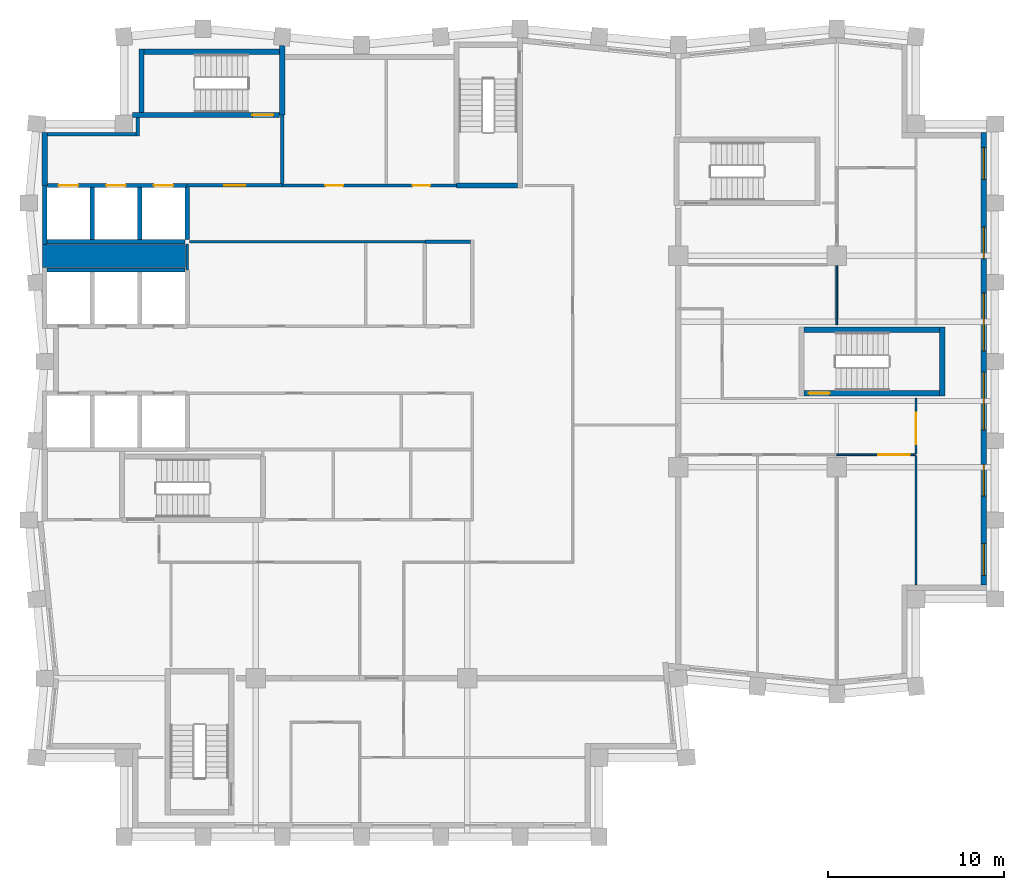
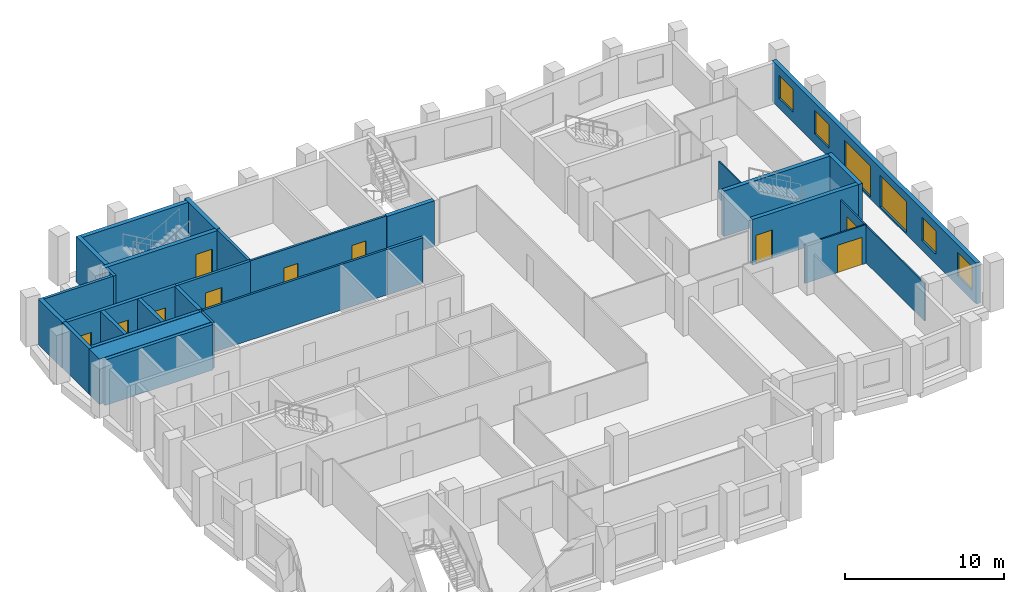
# One storey, part 5 of 8: 30 walls, 10 doors, 6 windows, 16 openings.
"""IFC4 building model written with IfcOpenShell, lengths in metres."""

from ifc_helpers import new_model, si_unit, direction, frame, frame_2d, origin, place, context, subcontext, project, spatial, rectangle, extrude, material, layer, layer_set, type_object, element, fill, save


model = new_model("IFC4")

# Units and contexts
model_context = context("Model", 3, precision=1e-05, world=origin(), true_north=direction((0.0, 1.0)))
body_context = subcontext(model_context, "Body", "Model", "MODEL_VIEW")
ifc_project = project(units=[si_unit("LENGTHUNIT", "METRE"), si_unit("AREAUNIT", "SQUARE_METRE"), si_unit("VOLUMEUNIT", "CUBIC_METRE"), si_unit("PLANEANGLEUNIT", "RADIAN"), si_unit("MASSUNIT", "GRAM", prefix="KILO")], contexts=[model_context])

# Site, building, storey
site_placement = place(None, origin())
site = spatial("IfcSite", under=ifc_project, at=site_placement, CompositionType="ELEMENT")
building_placement = place(site_placement, origin())
building = spatial("IfcBuilding", under=site, at=building_placement, Name="Brondeck Convention Tower", CompositionType="ELEMENT")
storey_placement = place(building_placement, frame((0.0, 0.0, 217.800048828125)))
storey = spatial("IfcBuildingStorey", under=building, at=storey_placement, Name="L53", CompositionType="ELEMENT", Elevation=217.800048828125)

# Walls
ifc_material_1 = material(Name="Concrete C50/60", Category="concrete")
ifc_layer_1 = layer(ifc_material_1, 0.300048828125)
ifc_layer_set_1 = layer_set([ifc_layer_1], Name="Core outer wall 300 Concrete C50/60")
wall_type_1 = type_object("IfcWallType", Name="Core outer wall 300 Concrete C50/60", PredefinedType="SHEAR", material=ifc_layer_set_1)
wall_1_placement = place(storey_placement, frame((0.0, 55.0, 0.0), z_axis=(0.0, 0.0, 1.0), x_axis=(0.0, 1.0, 0.0)))
element("IfcWall", 1, at=wall_1_placement, inside=storey, type_object=wall_type_1, Name="L53 core wall", PredefinedType="SHEAR", context=body_context, shape_type="SweptSolid", body=[
    extrude(rectangle(XDim=3.0, YDim=0.300048828125, at=frame_2d((1.5, 0.0))), origin(), (0.0, 0.0, 1.0), 3.5),
])
ifc_material_2 = material(Name="Fire-rated gypsum board partition")
ifc_layer_2 = layer(ifc_material_2, 0.14990234375)
ifc_layer_set_2 = layer_set([ifc_layer_2], Name="Core partition 150 EI 60")
wall_type_2 = type_object("IfcWallType", Name="Core partition 150 EI 60", PredefinedType="PARTITIONING", material=ifc_layer_set_2)
wall_2_placement = place(storey_placement, frame((8.22509765625, 51.800048828125, 0.0), z_axis=(0.0, 0.0, 1.0), x_axis=(1.0, 0.0, 0.0)))
element("IfcWall", 2, at=wall_2_placement, inside=storey, type_object=wall_type_2, Name="L53 core wall", PredefinedType="PARTITIONING", context=body_context, shape_type="SweptSolid", body=[
    extrude(rectangle(XDim=13.375, YDim=0.14990234375, at=frame_2d((6.6875, 0.0))), origin(), (0.0, 0.0, 1.0), 3.5),
])

# Wall, openings, doors
wall_3_placement = place(storey_placement, frame((13.5, 55.0, 0.0), z_axis=(0.0, 0.0, 1.0), x_axis=(1.0, 0.0, 0.0)))
wall_3 = element("IfcWall", 3, at=wall_3_placement, inside=storey, type_object=wall_type_2, Name="L53 core wall", PredefinedType="PARTITIONING", context=body_context, shape_type="SweptSolid", body=[
    extrude(rectangle(XDim=9.89990234375, YDim=0.14990234375, at=frame_2d((4.949951171875, 0.0))), origin(), (0.0, 0.0, 1.0), 3.5),
])
opening_1_placement = place(wall_3_placement, frame((2.449951171875, 0.0, 0.0)))
opening_1 = element("IfcOpeningElement", 4, at=opening_1_placement, cuts=wall_3, Name="Opening C29-11", PredefinedType="OPENING", context=body_context, shape_type="SweptSolid", body=[
    extrude(rectangle(XDim=1.0, YDim=2.10009765625, at=frame_2d((0.5, 1.050048828125))), frame((0.0, 0.0849609375, 0.0), z_axis=(0.0, -1.0, 0.0), x_axis=(1.0, 0.0, 0.0)), (0.0, 0.0, 1.0), 0.169921875),
])
opening_2_placement = place(wall_3_placement, frame((7.39990234375, 0.0, 0.0)))
opening_2 = element("IfcOpeningElement", 5, at=opening_2_placement, cuts=wall_3, Name="Opening C29-12", PredefinedType="OPENING", context=body_context, shape_type="SweptSolid", body=[
    extrude(rectangle(XDim=1.0, YDim=2.10009765625, at=frame_2d((0.5, 1.050048828125))), frame((0.0, 0.0849609375, 0.0), z_axis=(0.0, -1.0, 0.0), x_axis=(1.0, 0.0, 0.0)), (0.0, 0.0, 1.0), 0.169921875),
])
ifc_material_3 = material(Name="Steel fire door", Category="steel")
door_type_1 = type_object("IfcDoorType", Name="Room door 1000x2100 EI 60", OperationType="NOTDEFINED", PredefinedType="DOOR", material=ifc_material_3)
door_1_placement = place(opening_1_placement, origin())
door_1 = element("IfcDoor", 6, at=door_1_placement, inside=storey, type_object=door_type_1, Name="L53 Room door NE-1", OperationType="SINGLE_SWING_LEFT", OverallHeight=2.10009765625, OverallWidth=1.0, PredefinedType="DOOR", context=body_context, shape_type="SweptSolid", body=[
    extrude(rectangle(XDim=1.0, YDim=2.10009765625, at=frame_2d((0.5, 1.050048828125))), frame((0.0, 0.02490234375, 0.0), z_axis=(0.0, -1.0, 0.0), x_axis=(1.0, 0.0, 0.0)), (0.0, 0.0, 1.0), 0.050048828125),
])
fill(opening_1, door_1)
door_2_placement = place(opening_2_placement, origin())
door_2 = element("IfcDoor", 7, at=door_2_placement, inside=storey, type_object=door_type_1, Name="L53 Room door NE-2", OperationType="SINGLE_SWING_RIGHT", OverallHeight=2.10009765625, OverallWidth=1.0, PredefinedType="DOOR", context=body_context, shape_type="SweptSolid", body=[
    extrude(rectangle(XDim=1.0, YDim=2.10009765625, at=frame_2d((0.5, 1.050048828125))), frame((0.0, 0.02490234375, 0.0), z_axis=(0.0, -1.0, 0.0), x_axis=(1.0, 0.0, 0.0)), (0.0, 0.0, 1.0), 0.050048828125),
])
fill(opening_2, door_2)

# Walls
wall_4_placement = place(storey_placement, frame((8.10009765625, 50.199951171875, 0.0), z_axis=(0.0, 0.0, 1.0), x_axis=(0.0, 1.0, 0.0)))
element("IfcWall", 8, at=wall_4_placement, inside=storey, type_object=wall_type_2, Name="L53 core wall", PredefinedType="PARTITIONING", context=body_context, shape_type="SweptSolid", body=[
    extrude(rectangle(XDim=1.47509765625, YDim=0.14990234375, at=frame_2d((0.737548828125, 0.0))), origin(), (0.0, 0.0, 1.0), 3.5),
])
ifc_layer_3 = layer(ifc_material_1, 1.300048828125)
ifc_layer_set_3 = layer_set([ifc_layer_3], Name="Core shear wall 1300 Concrete C50/60")
wall_type_3 = type_object("IfcWallType", Name="Core shear wall 1300 Concrete C50/60", PredefinedType="SHEAR", material=ifc_layer_set_3)
wall_5_placement = place(storey_placement, frame((-0.125, 51.0, 0.0), z_axis=(0.0, 0.0, 1.0), x_axis=(1.0, 0.0, 0.0)))
element("IfcWall", 9, at=wall_5_placement, inside=storey, type_object=wall_type_3, Name="L53 core wall", PredefinedType="SHEAR", context=body_context, shape_type="SweptSolid", body=[
    extrude(rectangle(XDim=8.125, YDim=1.300048828125, at=frame_2d((4.0625, 0.0))), origin(), (0.0, 0.0, 1.0), 3.5),
])

# Wall, openings, windows
ifc_material_4 = material(Name="Precast concrete C50/60 bronze finish", Category="concrete")
ifc_layer_4 = layer(ifc_material_4, 0.070068359375, Name="Bronze precast facing")
ifc_material_5 = material(Name="Mineral wool")
ifc_layer_5 = layer(ifc_material_5, 0.159912109375, Name="Insulation")
ifc_material_6 = material(Name="Concrete C35/45", Category="concrete")
ifc_layer_6 = layer(ifc_material_6, 0.070068359375, Name="Backing")
ifc_layer_set_4 = layer_set([ifc_layer_4, ifc_layer_5, ifc_layer_6], Name="External infill wall, precast concrete C50/60 bronze facing")
wall_type_4 = type_object("IfcWallType", Name="External infill wall, precast concrete C50/60 bronze facing", PredefinedType="SOLIDWALL", material=ifc_layer_set_4)
wall_6_placement = place(storey_placement, frame((53.35009765625, 58.0, 0.0), z_axis=(0.0, 0.0, 1.0), x_axis=(0.0, -1.0, 0.0)))
wall_6 = element("IfcWall", 10, at=wall_6_placement, inside=storey, type_object=wall_type_4, Name="ENV-EW-L53-P2-A-E54-01", PredefinedType="SOLIDWALL", context=body_context, shape_type="SweptSolid", body=[
    extrude(rectangle(XDim=25.701904296875, YDim=0.300048828125, at=frame_2d((12.85107421875, 0.0))), origin(), (0.0, 0.0, 1.0), 3.14990234375),
])
opening_3_placement = place(wall_6_placement, frame((0.85009765625, 0.0, 0.75)))
opening_3 = element("IfcOpeningElement", 11, at=opening_3_placement, cuts=wall_6, Name="Opening W10", PredefinedType="OPENING", context=body_context, shape_type="SweptSolid", body=[
    extrude(rectangle(XDim=1.800048828125, YDim=1.800048828125, at=frame_2d((0.89990234375, 0.89990234375))), frame((0.0, 0.159912109375, 0.0), z_axis=(0.0, -1.0, 0.0), x_axis=(1.0, 0.0, 0.0)), (0.0, 0.0, 1.0), 0.320068359375),
])
opening_4_placement = place(wall_6_placement, frame((5.35009765625, 0.0, 0.75)))
opening_4 = element("IfcOpeningElement", 12, at=opening_4_placement, cuts=wall_6, Name="Opening W10", PredefinedType="OPENING", context=body_context, shape_type="SweptSolid", body=[
    extrude(rectangle(XDim=1.800048828125, YDim=1.800048828125, at=frame_2d((0.89990234375, 0.89990234375))), frame((0.0, 0.159912109375, 0.0), z_axis=(0.0, -1.0, 0.0), x_axis=(1.0, 0.0, 0.0)), (0.0, 0.0, 1.0), 0.320068359375),
])
opening_5_placement = place(wall_6_placement, frame((9.10009765625, 0.0, 0.14990234375)))
opening_5 = element("IfcOpeningElement", 13, at=opening_5_placement, cuts=wall_6, Name="Opening W9", PredefinedType="OPENING", context=body_context, shape_type="SweptSolid", body=[
    extrude(rectangle(XDim=3.300048828125, YDim=2.39990234375, at=frame_2d((1.64990234375, 1.199951171875))), frame((0.0, 0.159912109375, 0.0), z_axis=(0.0, -1.0, 0.0), x_axis=(1.0, 0.0, 0.0)), (0.0, 0.0, 1.0), 0.320068359375),
])
opening_6_placement = place(wall_6_placement, frame((13.60009765625, 0.0, 0.14990234375)))
opening_6 = element("IfcOpeningElement", 14, at=opening_6_placement, cuts=wall_6, Name="Opening W9", PredefinedType="OPENING", context=body_context, shape_type="SweptSolid", body=[
    extrude(rectangle(XDim=3.300048828125, YDim=2.39990234375, at=frame_2d((1.64990234375, 1.199951171875))), frame((0.0, 0.159912109375, 0.0), z_axis=(0.0, -1.0, 0.0), x_axis=(1.0, 0.0, 0.0)), (0.0, 0.0, 1.0), 0.320068359375),
])
opening_7_placement = place(wall_6_placement, frame((18.85009765625, 0.0, 0.75)))
opening_7 = element("IfcOpeningElement", 15, at=opening_7_placement, cuts=wall_6, Name="Opening W10", PredefinedType="OPENING", context=body_context, shape_type="SweptSolid", body=[
    extrude(rectangle(XDim=1.800048828125, YDim=1.800048828125, at=frame_2d((0.89990234375, 0.89990234375))), frame((0.0, 0.159912109375, 0.0), z_axis=(0.0, -1.0, 0.0), x_axis=(1.0, 0.0, 0.0)), (0.0, 0.0, 1.0), 0.320068359375),
])
opening_8_placement = place(wall_6_placement, frame((23.35009765625, 0.0, 0.75)))
opening_8 = element("IfcOpeningElement", 16, at=opening_8_placement, cuts=wall_6, Name="Opening W10", PredefinedType="OPENING", context=body_context, shape_type="SweptSolid", body=[
    extrude(rectangle(XDim=1.800048828125, YDim=1.800048828125, at=frame_2d((0.89990234375, 0.89990234375))), frame((0.0, 0.159912109375, 0.0), z_axis=(0.0, -1.0, 0.0), x_axis=(1.0, 0.0, 0.0)), (0.0, 0.0, 1.0), 0.320068359375),
])
ifc_material_7 = material(Name="Bronze tinted double glazing", Category="glass")
window_type_1 = type_object("IfcWindowType", Name="Glazed flute window, bronze tinted", PartitioningType="SINGLE_PANEL", PredefinedType="WINDOW", material=ifc_material_7)
window_1_placement = place(opening_5_placement, origin())
window_1 = element("IfcWindow", 17, at=window_1_placement, inside=storey, type_object=window_type_1, Name="ENV-WN-L53-P2-A-E54-04", OverallHeight=2.39990234375, OverallWidth=3.300048828125, PartitioningType="SINGLE_PANEL", PredefinedType="WINDOW", context=body_context, shape_type="SweptSolid", body=[
    extrude(rectangle(XDim=3.300048828125, YDim=2.39990234375, at=frame_2d((1.64990234375, 1.199951171875))), frame((0.0, 0.030029296875, 0.0), z_axis=(0.0, -1.0, 0.0), x_axis=(1.0, 0.0, 0.0)), (0.0, 0.0, 1.0), 0.06005859375),
])
fill(opening_5, window_1)
window_2_placement = place(opening_6_placement, origin())
window_2 = element("IfcWindow", 18, at=window_2_placement, inside=storey, type_object=window_type_1, Name="ENV-WN-L53-P2-A-E54-03", OverallHeight=2.39990234375, OverallWidth=3.300048828125, PartitioningType="SINGLE_PANEL", PredefinedType="WINDOW", context=body_context, shape_type="SweptSolid", body=[
    extrude(rectangle(XDim=3.300048828125, YDim=2.39990234375, at=frame_2d((1.64990234375, 1.199951171875))), frame((0.0, 0.030029296875, 0.0), z_axis=(0.0, -1.0, 0.0), x_axis=(1.0, 0.0, 0.0)), (0.0, 0.0, 1.0), 0.06005859375),
])
fill(opening_6, window_2)
window_type_2 = type_object("IfcWindowType", Name="Punched window, bronze tinted", PartitioningType="SINGLE_PANEL", PredefinedType="WINDOW", material=ifc_material_7)
window_3_placement = place(opening_3_placement, origin())
window_3 = element("IfcWindow", 19, at=window_3_placement, inside=storey, type_object=window_type_2, Name="ENV-WN-L53-P2-A-E54-06", OverallHeight=1.800048828125, OverallWidth=1.800048828125, PartitioningType="SINGLE_PANEL", PredefinedType="WINDOW", context=body_context, shape_type="SweptSolid", body=[
    extrude(rectangle(XDim=1.800048828125, YDim=1.800048828125, at=frame_2d((0.89990234375, 0.89990234375))), frame((0.0, 0.030029296875, 0.0), z_axis=(0.0, -1.0, 0.0), x_axis=(1.0, 0.0, 0.0)), (0.0, 0.0, 1.0), 0.06005859375),
])
fill(opening_3, window_3)
window_4_placement = place(opening_4_placement, origin())
window_4 = element("IfcWindow", 20, at=window_4_placement, inside=storey, type_object=window_type_2, Name="ENV-WN-L53-P2-A-E54-05", OverallHeight=1.800048828125, OverallWidth=1.800048828125, PartitioningType="SINGLE_PANEL", PredefinedType="WINDOW", context=body_context, shape_type="SweptSolid", body=[
    extrude(rectangle(XDim=1.800048828125, YDim=1.800048828125, at=frame_2d((0.89990234375, 0.89990234375))), frame((0.0, 0.030029296875, 0.0), z_axis=(0.0, -1.0, 0.0), x_axis=(1.0, 0.0, 0.0)), (0.0, 0.0, 1.0), 0.06005859375),
])
fill(opening_4, window_4)
window_5_placement = place(opening_7_placement, origin())
window_5 = element("IfcWindow", 21, at=window_5_placement, inside=storey, type_object=window_type_2, Name="ENV-WN-L53-P2-A-E54-02", OverallHeight=1.800048828125, OverallWidth=1.800048828125, PartitioningType="SINGLE_PANEL", PredefinedType="WINDOW", context=body_context, shape_type="SweptSolid", body=[
    extrude(rectangle(XDim=1.800048828125, YDim=1.800048828125, at=frame_2d((0.89990234375, 0.89990234375))), frame((0.0, 0.030029296875, 0.0), z_axis=(0.0, -1.0, 0.0), x_axis=(1.0, 0.0, 0.0)), (0.0, 0.0, 1.0), 0.06005859375),
])
fill(opening_7, window_5)
window_6_placement = place(opening_8_placement, origin())
window_6 = element("IfcWindow", 22, at=window_6_placement, inside=storey, type_object=window_type_2, Name="ENV-WN-L53-P2-A-E54-01", OverallHeight=1.800048828125, OverallWidth=1.800048828125, PartitioningType="SINGLE_PANEL", PredefinedType="WINDOW", context=body_context, shape_type="SweptSolid", body=[
    extrude(rectangle(XDim=1.800048828125, YDim=1.800048828125, at=frame_2d((0.89990234375, 0.89990234375))), frame((0.0, 0.030029296875, 0.0), z_axis=(0.0, -1.0, 0.0), x_axis=(1.0, 0.0, 0.0)), (0.0, 0.0, 1.0), 0.06005859375),
])
fill(opening_8, window_6)

# Wall, opening, door
ifc_layer_7 = layer(ifc_material_2, 0.199951171875)
ifc_layer_set_5 = layer_set([ifc_layer_7], Name="Firefighting lobby wall 200 EI 120")
wall_type_5 = type_object("IfcWallType", Name="Firefighting lobby wall 200 EI 120", PredefinedType="PARTITIONING", material=ifc_layer_set_5)
wall_7_placement = place(storey_placement, frame((8.10009765625, 55.0, 0.0), z_axis=(0.0, 0.0, 1.0), x_axis=(1.0, 0.0, 0.0)))
wall_7 = element("IfcWall", 23, at=wall_7_placement, inside=storey, type_object=wall_type_5, Name="L53 core wall", PredefinedType="PARTITIONING", context=body_context, shape_type="SweptSolid", body=[
    extrude(rectangle(XDim=5.39990234375, YDim=0.199951171875, at=frame_2d((2.699951171875, 0.0))), origin(), (0.0, 0.0, 1.0), 3.5),
])
opening_9_placement = place(wall_7_placement, frame((2.10009765625, 0.0, 0.0)))
opening_9 = element("IfcOpeningElement", 24, at=opening_9_placement, cuts=wall_7, Name="Opening C29-01", PredefinedType="OPENING", context=body_context, shape_type="SweptSolid", body=[
    extrude(rectangle(XDim=1.199951171875, YDim=2.199951171875, at=frame_2d((0.60009765625, 1.10009765625))), frame((0.0, 0.10986328125, 0.0), z_axis=(0.0, -1.0, 0.0), x_axis=(1.0, 0.0, 0.0)), (0.0, 0.0, 1.0), 0.219970703125),
])
door_type_2 = type_object("IfcDoorType", Name="Firefighting lobby door 1200x2200 EI 120", OperationType="NOTDEFINED", PredefinedType="DOOR", material=ifc_material_3)
door_3_placement = place(opening_9_placement, origin())
door_3 = element("IfcDoor", 25, at=door_3_placement, inside=storey, type_object=door_type_2, Name="L53 Firefighting lobby door FFL-1", OperationType="SINGLE_SWING_RIGHT", OverallHeight=2.199951171875, OverallWidth=1.199951171875, PredefinedType="DOOR", context=body_context, shape_type="SweptSolid", body=[
    extrude(rectangle(XDim=1.199951171875, YDim=2.199951171875, at=frame_2d((0.60009765625, 1.10009765625))), frame((0.0, 0.02490234375, 0.0), z_axis=(0.0, -1.0, 0.0), x_axis=(1.0, 0.0, 0.0)), (0.0, 0.0, 1.0), 0.050048828125),
])
fill(opening_9, door_3)

# Walls
wall_8_placement = place(storey_placement, frame((0.14990234375, 57.89990234375, 0.0), z_axis=(0.0, 0.0, 1.0), x_axis=(1.0, 0.0, 0.0)))
element("IfcWall", 26, at=wall_8_placement, inside=storey, type_object=wall_type_5, Name="L53 core wall", PredefinedType="PARTITIONING", context=body_context, shape_type="SweptSolid", body=[
    extrude(rectangle(XDim=5.050048828125, YDim=0.199951171875, at=frame_2d((2.52490234375, 0.0))), origin(), (0.0, 0.0, 1.0), 3.5),
])
wall_9_placement = place(storey_placement, frame((5.300048828125, 57.800048828125, 0.0), z_axis=(0.0, 0.0, 1.0), x_axis=(0.0, 1.0, 0.0)))
element("IfcWall", 27, at=wall_9_placement, inside=storey, type_object=wall_type_5, Name="L53 core wall", PredefinedType="PARTITIONING", context=body_context, shape_type="SweptSolid", body=[
    extrude(rectangle(XDim=1.050048828125, YDim=0.199951171875, at=frame_2d((0.52490234375, 0.0))), origin(), (0.0, 0.0, 1.0), 3.5),
])
wall_10_placement = place(storey_placement, frame((13.5, 55.10009765625, 0.0), z_axis=(0.0, 0.0, 1.0), x_axis=(0.0, 1.0, 0.0)))
element("IfcWall", 28, at=wall_10_placement, inside=storey, type_object=wall_type_5, Name="L53 core wall", PredefinedType="PARTITIONING", context=body_context, shape_type="SweptSolid", body=[
    extrude(rectangle(XDim=3.89990234375, YDim=0.199951171875, at=frame_2d((1.949951171875, 0.0))), origin(), (0.0, 0.0, 1.0), 3.5),
])
ifc_layer_8 = layer(ifc_material_1, 0.25)
ifc_layer_set_6 = layer_set([ifc_layer_8], Name="Lift shaft wall 250 Concrete C50/60")
wall_type_6 = type_object("IfcWallType", Name="Lift shaft wall 250 Concrete C50/60", PredefinedType="SHEAR", material=ifc_layer_set_6)
for number, where, z_axis, x_axis, name in (
    (29, (0.125, 50.199951171875, 0.0), (0.0, 0.0, 1.0), (1.0, 0.0, 0.0), "L53 core wall"),
    (30, (0.125, 51.800048828125, 0.0), (0.0, 0.0, 1.0), (1.0, 0.0, 0.0), "L53 core wall"),
):
    element("IfcWall", number, at=place(storey_placement, frame(where, z_axis=z_axis, x_axis=x_axis)), inside=storey, type_object=wall_type_6, Name=name, PredefinedType="SHEAR", context=body_context, shape_type="SweptSolid", body=[
        extrude(rectangle(XDim=7.85009765625, YDim=0.25, at=frame_2d((3.925048828125, 0.0))), origin(), (0.0, 0.0, 1.0), 3.5),
    ])

# Wall, openings, doors
wall_11_placement = place(storey_placement, frame((0.14990234375, 55.0, 0.0), z_axis=(0.0, 0.0, 1.0), x_axis=(1.0, 0.0, 0.0)))
wall_11 = element("IfcWall", 31, at=wall_11_placement, inside=storey, type_object=wall_type_6, Name="L53 core wall", PredefinedType="SHEAR", context=body_context, shape_type="SweptSolid", body=[
    extrude(rectangle(XDim=7.9501953125, YDim=0.25, at=frame_2d((3.97509765625, 0.0))), origin(), (0.0, 0.0, 1.0), 3.5),
])
opening_10_placement = place(wall_11_placement, frame((0.64990234375, 0.0, 0.0)))
opening_10 = element("IfcOpeningElement", 32, at=opening_10_placement, cuts=wall_11, Name="Opening C29-19", PredefinedType="OPENING", context=body_context, shape_type="SweptSolid", body=[
    extrude(rectangle(XDim=1.10009765625, YDim=2.10009765625, at=frame_2d((0.550048828125, 1.050048828125))), frame((0.0, 0.135009765625, 0.0), z_axis=(0.0, -1.0, 0.0), x_axis=(1.0, 0.0, 0.0)), (0.0, 0.0, 1.0), 0.27001953125),
])
opening_11_placement = place(wall_11_placement, frame((3.35009765625, 0.0, 0.0)))
opening_11 = element("IfcOpeningElement", 33, at=opening_11_placement, cuts=wall_11, Name="Opening C29-20", PredefinedType="OPENING", context=body_context, shape_type="SweptSolid", body=[
    extrude(rectangle(XDim=1.10009765625, YDim=2.10009765625, at=frame_2d((0.550048828125, 1.050048828125))), frame((0.0, 0.135009765625, 0.0), z_axis=(0.0, -1.0, 0.0), x_axis=(1.0, 0.0, 0.0)), (0.0, 0.0, 1.0), 0.27001953125),
])
opening_12_placement = place(wall_11_placement, frame((6.050048828125, 0.0, 0.0)))
opening_12 = element("IfcOpeningElement", 34, at=opening_12_placement, cuts=wall_11, Name="Opening C29-21", PredefinedType="OPENING", context=body_context, shape_type="SweptSolid", body=[
    extrude(rectangle(XDim=1.10009765625, YDim=2.10009765625, at=frame_2d((0.550048828125, 1.050048828125))), frame((0.0, 0.135009765625, 0.0), z_axis=(0.0, -1.0, 0.0), x_axis=(1.0, 0.0, 0.0)), (0.0, 0.0, 1.0), 0.27001953125),
])
ifc_material_8 = material(Name="Stainless steel lift door", Category="steel")
door_type_3 = type_object("IfcDoorType", Name="Lift landing door 1100x2100 EI 180", OperationType="DOUBLE_DOOR_SLIDING", PredefinedType="DOOR", material=ifc_material_8)
door_4_placement = place(opening_10_placement, origin())
door_4 = element("IfcDoor", 35, at=door_4_placement, inside=storey, type_object=door_type_3, Name="L53 Lift landing door FF1", OperationType="DOUBLE_DOOR_SLIDING", OverallHeight=2.10009765625, OverallWidth=1.10009765625, PredefinedType="DOOR", context=body_context, shape_type="SweptSolid", body=[
    extrude(rectangle(XDim=1.10009765625, YDim=2.10009765625, at=frame_2d((0.550048828125, 1.050048828125))), frame((0.0, 0.02490234375, 0.0), z_axis=(0.0, -1.0, 0.0), x_axis=(1.0, 0.0, 0.0)), (0.0, 0.0, 1.0), 0.050048828125),
])
fill(opening_10, door_4)
door_5_placement = place(opening_11_placement, origin())
door_5 = element("IfcDoor", 36, at=door_5_placement, inside=storey, type_object=door_type_3, Name="L53 Lift landing door FF2", OperationType="DOUBLE_DOOR_SLIDING", OverallHeight=2.10009765625, OverallWidth=1.10009765625, PredefinedType="DOOR", context=body_context, shape_type="SweptSolid", body=[
    extrude(rectangle(XDim=1.10009765625, YDim=2.10009765625, at=frame_2d((0.550048828125, 1.050048828125))), frame((0.0, 0.02490234375, 0.0), z_axis=(0.0, -1.0, 0.0), x_axis=(1.0, 0.0, 0.0)), (0.0, 0.0, 1.0), 0.050048828125),
])
fill(opening_11, door_5)
door_6_placement = place(opening_12_placement, origin())
door_6 = element("IfcDoor", 37, at=door_6_placement, inside=storey, type_object=door_type_3, Name="L53 Lift landing door FF3", OperationType="DOUBLE_DOOR_SLIDING", OverallHeight=2.10009765625, OverallWidth=1.10009765625, PredefinedType="DOOR", context=body_context, shape_type="SweptSolid", body=[
    extrude(rectangle(XDim=1.10009765625, YDim=2.10009765625, at=frame_2d((0.550048828125, 1.050048828125))), frame((0.0, 0.02490234375, 0.0), z_axis=(0.0, -1.0, 0.0), x_axis=(1.0, 0.0, 0.0)), (0.0, 0.0, 1.0), 0.050048828125),
])
fill(opening_12, door_6)

# Walls
wall_12_placement = place(storey_placement, frame((0.0, 51.64990234375, 0.0), z_axis=(0.0, 0.0, 1.0), x_axis=(0.0, 1.0, 0.0)))
element("IfcWall", 38, at=wall_12_placement, inside=storey, type_object=wall_type_6, Name="L53 core wall", PredefinedType="SHEAR", context=body_context, shape_type="SweptSolid", body=[
    extrude(rectangle(XDim=3.35009765625, YDim=0.25, at=frame_2d((1.675048828125, 0.0))), origin(), (0.0, 0.0, 1.0), 3.5),
])
for number, where, z_axis, x_axis, name in (
    (39, (2.699951171875, 51.925048828125, 0.0), (0.0, 0.0, 1.0), (0.0, 1.0, 0.0), "L53 core wall"),
    (40, (5.39990234375, 51.925048828125, 0.0), (0.0, 0.0, 1.0), (0.0, 1.0, 0.0), "L53 core wall"),
    (41, (8.10009765625, 51.925048828125, 0.0), (0.0, 0.0, 1.0), (0.0, 1.0, 0.0), "L53 core wall"),
):
    element("IfcWall", number, at=place(storey_placement, frame(where, z_axis=z_axis, x_axis=x_axis)), inside=storey, type_object=wall_type_6, Name=name, PredefinedType="SHEAR", context=body_context, shape_type="SweptSolid", body=[
        extrude(rectangle(XDim=2.949951171875, YDim=0.25, at=frame_2d((1.47509765625, 0.0))), origin(), (0.0, 0.0, 1.0), 3.5),
    ])
ifc_layer_9 = layer(ifc_material_2, 0.199951171875)
ifc_layer_set_7 = layer_set([ifc_layer_9], Name="Riser wall 200 EI 120")
wall_type_7 = type_object("IfcWallType", Name="Riser wall 200 EI 120", PredefinedType="PARTITIONING", material=ifc_layer_set_7)
wall_13_placement = place(storey_placement, frame((21.60009765625, 51.800048828125, 0.0), z_axis=(0.0, 0.0, 1.0), x_axis=(1.0, 0.0, 0.0)))
element("IfcWall", 42, at=wall_13_placement, inside=storey, type_object=wall_type_7, Name="L53 core wall", PredefinedType="PARTITIONING", context=body_context, shape_type="SweptSolid", body=[
    extrude(rectangle(XDim=2.599853515625, YDim=0.199951171875, at=frame_2d((1.2998046875, 0.0))), origin(), (0.0, 0.0, 1.0), 3.5),
])
ifc_material_9 = material(Name="Gypsum board partition on steel studs", Category="steel")
ifc_layer_10 = layer(ifc_material_9, 0.10009765625)
ifc_layer_set_8 = layer_set([ifc_layer_10], Name="Room partition 100")
wall_type_8 = type_object("IfcWallType", Name="Room partition 100", PredefinedType="PARTITIONING", material=ifc_layer_set_8)
wall_14_placement = place(storey_placement, frame((49.5, 32.320068359375, 0.0), z_axis=(0.0, 0.0, 1.0), x_axis=(0.0, 1.0, 0.0)))
element("IfcWall", 43, at=wall_14_placement, inside=storey, type_object=wall_type_8, Name="FLR-L53-W023", PredefinedType="PARTITIONING", context=body_context, shape_type="SweptSolid", body=[
    extrude(rectangle(XDim=7.329833984375, YDim=0.10009765625, at=frame_2d((3.6650390625, 0.0))), origin(), (0.0, 0.0, 1.0), 2.8798828125),
])

# Wall, opening, door
wall_15_placement = place(storey_placement, frame((49.449951171875, 39.699951171875, 0.0), z_axis=(0.0, 0.0, 1.0), x_axis=(-1.0, 0.0, 0.0)))
wall_15 = element("IfcWall", 44, at=wall_15_placement, inside=storey, type_object=wall_type_8, Name="FLR-L53-W034", PredefinedType="PARTITIONING", context=body_context, shape_type="SweptSolid", body=[
    extrude(rectangle(XDim=4.449951171875, YDim=0.10009765625, at=frame_2d((2.22509765625, 0.0))), origin(), (0.0, 0.0, 1.0), 2.97998046875),
])
opening_13_placement = place(wall_15_placement, frame((0.303955078125, 0.0, 0.0)))
opening_13 = element("IfcOpeningElement", 45, at=opening_13_placement, cuts=wall_15, Name="Opening OF-L-006", PredefinedType="OPENING", context=body_context, shape_type="SweptSolid", body=[
    extrude(rectangle(XDim=1.800048828125, YDim=2.10009765625, at=frame_2d((0.89990234375, 1.050048828125))), frame((0.0, 0.06005859375, 0.0), z_axis=(0.0, -1.0, 0.0), x_axis=(1.0, 0.0, 0.0)), (0.0, 0.0, 1.0), 0.1201171875),
])
ifc_material_10 = material(Name="Glazed timber double door", Category="wood")
door_type_4 = type_object("IfcDoorType", Name="Double door 1800", OperationType="DOUBLE_DOOR_SINGLE_SWING", PredefinedType="DOOR", material=ifc_material_10)
door_7_placement = place(opening_13_placement, origin())
door_7 = element("IfcDoor", 46, at=door_7_placement, inside=storey, type_object=door_type_4, Name="Door OF-L-006", OperationType="DOUBLE_DOOR_SINGLE_SWING", OverallHeight=2.10009765625, OverallWidth=1.800048828125, PredefinedType="DOOR", context=body_context, shape_type="SweptSolid", body=[
    extrude(rectangle(XDim=1.800048828125, YDim=2.10009765625, at=frame_2d((0.89990234375, 1.050048828125))), frame((0.0, 0.02490234375, 0.0), z_axis=(0.0, -1.0, 0.0), x_axis=(1.0, 0.0, 0.0)), (0.0, 0.0, 1.0), 0.050048828125),
])
fill(opening_13, door_7)

wall_16_placement = place(storey_placement, frame((49.5, 42.89990234375, 0.0), z_axis=(0.0, 0.0, 1.0), x_axis=(0.0, -1.0, 0.0)))
wall_16 = element("IfcWall", 47, at=wall_16_placement, inside=storey, type_object=wall_type_8, Name="FLR-L53-W040", PredefinedType="PARTITIONING", context=body_context, shape_type="SweptSolid", body=[
    extrude(rectangle(XDim=3.14990234375, YDim=0.10009765625, at=frame_2d((1.574951171875, 0.0))), origin(), (0.0, 0.0, 1.0), 2.8798828125),
])
opening_14_placement = place(wall_16_placement, frame((0.800048828125, 0.0, 0.0)))
opening_14 = element("IfcOpeningElement", 48, at=opening_14_placement, cuts=wall_16, Name="Opening OF-L-003", PredefinedType="OPENING", context=body_context, shape_type="SweptSolid", body=[
    extrude(rectangle(XDim=1.800048828125, YDim=2.10009765625, at=frame_2d((0.89990234375, 1.050048828125))), frame((0.0, 0.06005859375, 0.0), z_axis=(0.0, -1.0, 0.0), x_axis=(1.0, 0.0, 0.0)), (0.0, 0.0, 1.0), 0.1201171875),
])
door_8_placement = place(opening_14_placement, origin())
door_8 = element("IfcDoor", 49, at=door_8_placement, inside=storey, type_object=door_type_4, Name="Door OF-L-003", OperationType="DOUBLE_DOOR_SINGLE_SWING", OverallHeight=2.10009765625, OverallWidth=1.800048828125, PredefinedType="DOOR", context=body_context, shape_type="SweptSolid", body=[
    extrude(rectangle(XDim=1.800048828125, YDim=2.10009765625, at=frame_2d((0.89990234375, 1.050048828125))), frame((0.0, 0.02490234375, 0.0), z_axis=(0.0, -1.0, 0.0), x_axis=(1.0, 0.0, 0.0)), (0.0, 0.0, 1.0), 0.050048828125),
])
fill(opening_14, door_8)

# Wall
wall_17_placement = place(storey_placement, frame((45.0, 50.445068359375, 0.0), z_axis=(0.0, 0.0, 1.0), x_axis=(0.0, -1.0, 0.0)))
element("IfcWall", 50, at=wall_17_placement, inside=storey, type_object=wall_type_8, Name="FLR-L53-W045", PredefinedType="PARTITIONING", context=body_context, shape_type="SweptSolid", body=[
    extrude(rectangle(XDim=3.344970703125, YDim=0.10009765625, at=frame_2d((1.67236328125, 0.0))), origin(), (0.0, 0.0, 1.0), 2.8798828125),
])

# Wall, opening, door
ifc_layer_11 = layer(ifc_material_1, 0.300048828125)
ifc_layer_set_9 = layer_set([ifc_layer_11], Name="Stair enclosure wall 300 Concrete C50/60")
wall_type_9 = type_object("IfcWallType", Name="Stair enclosure wall 300 Concrete C50/60", PredefinedType="SHEAR", material=ifc_layer_set_9)
wall_18_placement = place(storey_placement, frame((43.14990234375, 43.199951171875, 0.0), z_axis=(0.0, 0.0, 1.0), x_axis=(1.0, 0.0, 0.0)))
wall_18 = element("IfcWall", 51, at=wall_18_placement, inside=storey, type_object=wall_type_9, Name="L53 core wall", PredefinedType="SHEAR", context=body_context, shape_type="SweptSolid", body=[
    extrude(rectangle(XDim=7.7001953125, YDim=0.300048828125, at=frame_2d((3.85009765625, 0.0))), origin(), (0.0, 0.0, 1.0), 3.5),
])
opening_15_placement = place(wall_18_placement, frame((0.25, 0.0, 0.0)))
opening_15 = element("IfcOpeningElement", 52, at=opening_15_placement, cuts=wall_18, Name="Opening C29-17", PredefinedType="OPENING", context=body_context, shape_type="SweptSolid", body=[
    extrude(rectangle(XDim=1.199951171875, YDim=2.199951171875, at=frame_2d((0.60009765625, 1.10009765625))), frame((0.0, 0.159912109375, 0.0), z_axis=(0.0, -1.0, 0.0), x_axis=(1.0, 0.0, 0.0)), (0.0, 0.0, 1.0), 0.320068359375),
])
door_type_5 = type_object("IfcDoorType", Name="Stair door 1200x2200 EI 90", OperationType="NOTDEFINED", PredefinedType="DOOR", material=ifc_material_3)
door_9_placement = place(opening_15_placement, origin())
door_9 = element("IfcDoor", 53, at=door_9_placement, inside=storey, type_object=door_type_5, Name="L53 Stair door ST-AF", OperationType="SINGLE_SWING_RIGHT", OverallHeight=2.199951171875, OverallWidth=1.199951171875, PredefinedType="DOOR", context=body_context, shape_type="SweptSolid", body=[
    extrude(rectangle(XDim=1.199951171875, YDim=2.199951171875, at=frame_2d((0.60009765625, 1.10009765625))), frame((0.0, 0.02490234375, 0.0), z_axis=(0.0, -1.0, 0.0), x_axis=(1.0, 0.0, 0.0)), (0.0, 0.0, 1.0), 0.050048828125),
])
fill(opening_15, door_9)

# Walls
wall_19_placement = place(storey_placement, frame((43.14990234375, 46.800048828125, 0.0), z_axis=(0.0, 0.0, 1.0), x_axis=(1.0, 0.0, 0.0)))
element("IfcWall", 54, at=wall_19_placement, inside=storey, type_object=wall_type_9, Name="L53 core wall", PredefinedType="SHEAR", context=body_context, shape_type="SweptSolid", body=[
    extrude(rectangle(XDim=7.7001953125, YDim=0.300048828125, at=frame_2d((3.85009765625, 0.0))), origin(), (0.0, 0.0, 1.0), 3.5),
])
wall_20_placement = place(storey_placement, frame((23.39990234375, 55.0, 0.0), z_axis=(0.0, 0.0, 1.0), x_axis=(1.0, 0.0, 0.0)))
element("IfcWall", 55, at=wall_20_placement, inside=storey, type_object=wall_type_9, Name="L53 core wall", PredefinedType="SHEAR", context=body_context, shape_type="SweptSolid", body=[
    extrude(rectangle(XDim=3.4501953125, YDim=0.300048828125, at=frame_2d((1.72509765625, 0.0))), origin(), (0.0, 0.0, 1.0), 3.5),
])

# Wall, opening, door
wall_21_placement = place(storey_placement, frame((5.0, 59.0, 0.0), z_axis=(0.0, 0.0, 1.0), x_axis=(1.0, 0.0, 0.0)))
wall_21 = element("IfcWall", 56, at=wall_21_placement, inside=storey, type_object=wall_type_9, Name="L53 core wall", PredefinedType="SHEAR", context=body_context, shape_type="SweptSolid", body=[
    extrude(rectangle(XDim=8.35009765625, YDim=0.300048828125, at=frame_2d((4.175048828125, 0.0))), origin(), (0.0, 0.0, 1.0), 3.5),
])
opening_16_placement = place(wall_21_placement, frame((6.800048828125, 0.0, 0.0)))
opening_16 = element("IfcOpeningElement", 57, at=opening_16_placement, cuts=wall_21, Name="Opening C29-15", PredefinedType="OPENING", context=body_context, shape_type="SweptSolid", body=[
    extrude(rectangle(XDim=1.199951171875, YDim=2.199951171875, at=frame_2d((0.60009765625, 1.10009765625))), frame((0.0, 0.159912109375, 0.0), z_axis=(0.0, -1.0, 0.0), x_axis=(1.0, 0.0, 0.0)), (0.0, 0.0, 1.0), 0.320068359375),
])
door_type_6 = type_object("IfcDoorType", Name="Stair door 1200x2200 EI 120", OperationType="NOTDEFINED", PredefinedType="DOOR", material=ifc_material_3)
door_10_placement = place(opening_16_placement, origin())
door_10 = element("IfcDoor", 58, at=door_10_placement, inside=storey, type_object=door_type_6, Name="L53 Stair door ST-3", OperationType="SINGLE_SWING_RIGHT", OverallHeight=2.199951171875, OverallWidth=1.199951171875, PredefinedType="DOOR", context=body_context, shape_type="SweptSolid", body=[
    extrude(rectangle(XDim=1.199951171875, YDim=2.199951171875, at=frame_2d((0.60009765625, 1.10009765625))), frame((0.0, 0.02490234375, 0.0), z_axis=(0.0, -1.0, 0.0), x_axis=(1.0, 0.0, 0.0)), (0.0, 0.0, 1.0), 0.050048828125),
])
fill(opening_16, door_10)

# Walls
wall_22_placement = place(storey_placement, frame((5.64990234375, 62.60009765625, 0.0), z_axis=(0.0, 0.0, 1.0), x_axis=(1.0, 0.0, 0.0)))
element("IfcWall", 59, at=wall_22_placement, inside=storey, type_object=wall_type_9, Name="L53 core wall", PredefinedType="SHEAR", context=body_context, shape_type="SweptSolid", body=[
    extrude(rectangle(XDim=7.7001953125, YDim=0.300048828125, at=frame_2d((3.85009765625, 0.0))), origin(), (0.0, 0.0, 1.0), 3.5),
])
wall_23_placement = place(storey_placement, frame((5.5, 59.14990234375, 0.0), z_axis=(0.0, 0.0, 1.0), x_axis=(0.0, 1.0, 0.0)))
element("IfcWall", 60, at=wall_23_placement, inside=storey, type_object=wall_type_9, Name="L53 core wall", PredefinedType="SHEAR", context=body_context, shape_type="SweptSolid", body=[
    extrude(rectangle(XDim=3.60009765625, YDim=0.300048828125, at=frame_2d((1.800048828125, 0.0))), origin(), (0.0, 0.0, 1.0), 3.5),
])
wall_24_placement = place(storey_placement, frame((13.5, 59.0, 0.0), z_axis=(0.0, 0.0, 1.0), x_axis=(0.0, 1.0, 0.0)))
element("IfcWall", 61, at=wall_24_placement, inside=storey, type_object=wall_type_9, Name="L53 core wall", PredefinedType="SHEAR", context=body_context, shape_type="SweptSolid", body=[
    extrude(rectangle(XDim=3.947509765625, YDim=0.300048828125, at=frame_2d((1.9736328125, 0.0))), origin(), (0.0, 0.0, 1.0), 3.5),
])
wall_25_placement = place(storey_placement, frame((51.0, 43.050048828125, 0.0), z_axis=(0.0, 0.0, 1.0), x_axis=(0.0, 1.0, 0.0)))
element("IfcWall", 62, at=wall_25_placement, inside=storey, type_object=wall_type_9, Name="L53 core wall", PredefinedType="SHEAR", context=body_context, shape_type="SweptSolid", body=[
    extrude(rectangle(XDim=3.89990234375, YDim=0.300048828125, at=frame_2d((1.949951171875, 0.0))), origin(), (0.0, 0.0, 1.0), 3.5),
])

save(model, "model.ifc")
